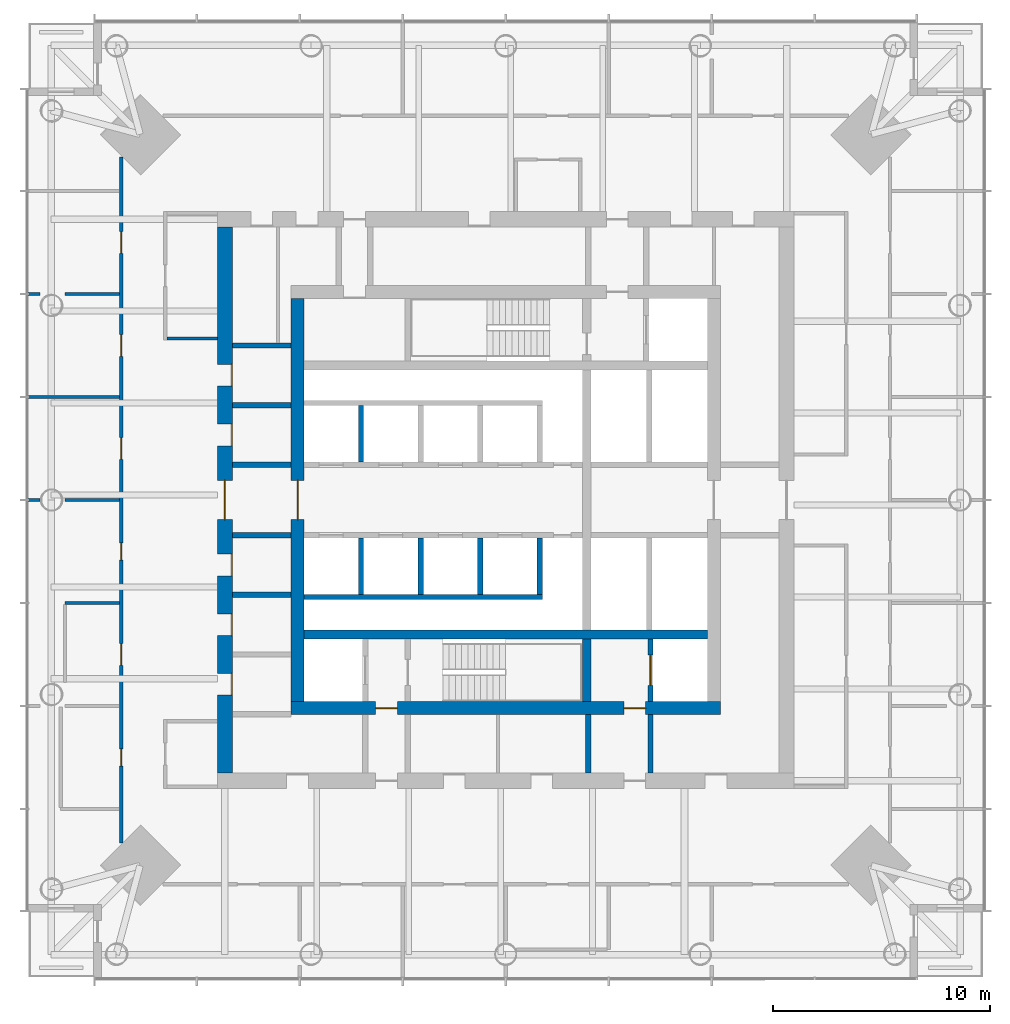
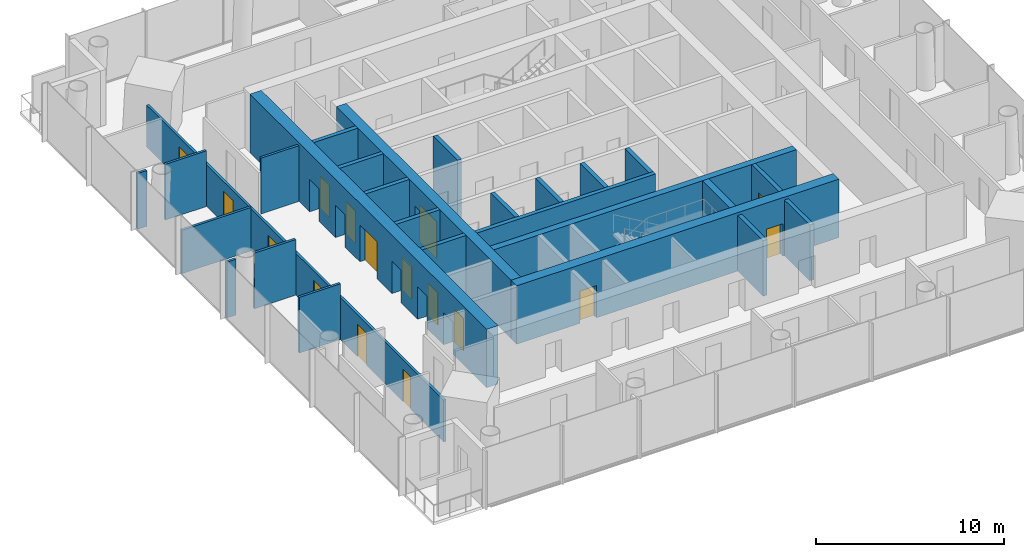
# One storey, part 9 of 19: 27 walls, 16 doors, 16 openings.
"""IFC4 building model written with IfcOpenShell, lengths in metres."""

from ifc_helpers import new_model, si_unit, direction, frame, frame_2d, origin, place, context, subcontext, project, spatial, rectangle, extrude, material, layer, layer_set, type_object, element, fill, save


model = new_model("IFC4")

# Units and contexts
model_context = context("Model", 3, precision=1e-05, world=origin(), true_north=direction((0.0, 1.0)))
body_context = subcontext(model_context, "Body", "Model", "MODEL_VIEW")
ifc_project = project(units=[si_unit("LENGTHUNIT", "METRE"), si_unit("AREAUNIT", "SQUARE_METRE"), si_unit("VOLUMEUNIT", "CUBIC_METRE"), si_unit("PLANEANGLEUNIT", "RADIAN"), si_unit("MASSUNIT", "GRAM", prefix="KILO")], contexts=[model_context])

# Site, building, storey
site_placement = place(None, origin())
site = spatial("IfcSite", under=ifc_project, at=site_placement, CompositionType="ELEMENT")
building_placement = place(site_placement, origin())
building = spatial("IfcBuilding", under=site, at=building_placement, Name="Ostroluk Exchange", CompositionType="ELEMENT")
storey_placement = place(building_placement, frame((0.0, 0.0, 116.0)))
storey = spatial("IfcBuildingStorey", under=building, at=storey_placement, Name="L29", CompositionType="ELEMENT", Elevation=116.0)

# Walls
ifc_material_1 = material(Name="Concrete blockwork", Category="masonry")
ifc_layer_1 = layer(ifc_material_1, 0.25)
ifc_layer_set_1 = layer_set([ifc_layer_1], Name="Blockwork stair enclosure wall 250")
wall_type_1 = type_object("IfcWallType", Name="Blockwork stair enclosure wall 250", PredefinedType="SOLIDWALL", material=ifc_layer_set_1)
for number, where, z_axis, x_axis, name in (
    (1, (48.804931640625, 33.39990234375, 0.0), (0.0, 0.0, 1.0), (0.0, 1.0, 0.0), "Service lobby enclosure wall"),
    (2, (51.675048828125, 33.39990234375, 0.0), (0.0, 0.0, 1.0), (0.0, 1.0, 0.0), "Service lobby enclosure wall"),
):
    element("IfcWall", number, at=place(storey_placement, frame(where, z_axis=z_axis, x_axis=x_axis)), inside=storey, type_object=wall_type_1, Name=name, PredefinedType="SOLIDWALL", context=body_context, shape_type="SweptSolid", body=[
        extrude(rectangle(XDim=2.7001953125, YDim=0.25, at=frame_2d((1.35009765625, 0.0))), origin(), (0.0, 0.0, 1.0), 3.6201171875),
    ])
ifc_material_2 = material(Name="Concrete C50/60", Category="concrete")
ifc_layer_2 = layer(ifc_material_2, 0.39990234375)
ifc_layer_set_2 = layer_set([ifc_layer_2], Name="Core cross wall 400 C50/60")
wall_type_2 = type_object("IfcWallType", Name="Core cross wall 400 C50/60", PredefinedType="SHEAR", material=ifc_layer_set_2)
wall_1_placement = place(storey_placement, frame((35.699951171875, 39.800048828125, 0.0), z_axis=(0.0, 0.0, 1.0), x_axis=(1.0, 0.0, 0.0)))
element("IfcWall", 3, at=wall_1_placement, inside=storey, type_object=wall_type_2, Name="T1 core wall XS", PredefinedType="SHEAR", context=body_context, shape_type="SweptSolid", body=[
    extrude(rectangle(XDim=18.60009765625, YDim=0.39990234375, at=frame_2d((9.300048828125, 0.0))), origin(), (0.0, 0.0, 1.0), 3.800048828125),
])
wall_2_placement = place(storey_placement, frame((48.72998046875, 36.699951171875, 0.0), z_axis=(0.0, 0.0, 1.0), x_axis=(0.0, 1.0, 0.0)))
element("IfcWall", 4, at=wall_2_placement, inside=storey, type_object=wall_type_2, Name="T1 core wall YE1", PredefinedType="SHEAR", context=body_context, shape_type="SweptSolid", body=[
    extrude(rectangle(XDim=2.900146484375, YDim=0.39990234375, at=frame_2d((1.4501953125, 0.0))), origin(), (0.0, 0.0, 1.0), 3.800048828125),
])

# Wall, opening, door
ifc_material_3 = material(Name="Concrete C40/50", Category="concrete")
ifc_layer_3 = layer(ifc_material_3, 0.25)
ifc_layer_set_3 = layer_set([ifc_layer_3], Name="Core shaft wall 250")
wall_type_3 = type_object("IfcWallType", Name="Core shaft wall 250", PredefinedType="SHEAR", material=ifc_layer_set_3)
wall_3_placement = place(storey_placement, frame((51.675048828125, 36.699951171875, 0.0), z_axis=(0.0, 0.0, 1.0), x_axis=(0.0, 1.0, 0.0)))
wall_3 = element("IfcWall", 5, at=wall_3_placement, inside=storey, type_object=wall_type_3, Name="Service lift shaft wall", PredefinedType="SHEAR", context=body_context, shape_type="SweptSolid", body=[
    extrude(rectangle(XDim=2.900146484375, YDim=0.25, at=frame_2d((1.4501953125, 0.0))), origin(), (0.0, 0.0, 1.0), 3.800048828125),
])
opening_1_placement = place(wall_3_placement, frame((0.75, 0.0, 0.0)))
opening_1 = element("IfcOpeningElement", 6, at=opening_1_placement, cuts=wall_3, Name="Opening LD3", PredefinedType="OPENING", context=body_context, shape_type="SweptSolid", body=[
    extrude(rectangle(XDim=1.39990234375, YDim=2.39990234375, at=frame_2d((0.699951171875, 1.199951171875))), frame((0.0, 0.135009765625, 0.0), z_axis=(0.0, -1.0, 0.0), x_axis=(1.0, 0.0, 0.0)), (0.0, 0.0, 1.0), 0.27001953125),
])
ifc_material_4 = material(Name="Stainless steel", Category="steel")
door_type_1 = type_object("IfcDoorType", Name="Goods lift landing door E 60 1400 x 2400", OperationType="DOUBLE_DOOR_SLIDING", PredefinedType="DOOR", material=ifc_material_4)
door_1_placement = place(opening_1_placement, origin())
door_1 = element("IfcDoor", 7, at=door_1_placement, inside=storey, type_object=door_type_1, Name="Lift SL1 landing door", OperationType="DOUBLE_DOOR_SLIDING", OverallHeight=2.39990234375, OverallWidth=1.39990234375, PredefinedType="DOOR", context=body_context, shape_type="SweptSolid", body=[
    extrude(rectangle(XDim=1.39990234375, YDim=2.39990234375, at=frame_2d((0.699951171875, 1.199951171875))), frame((0.0, 0.02490234375, 0.0), z_axis=(0.0, -1.0, 0.0), x_axis=(1.0, 0.0, 0.0)), (0.0, 0.0, 1.0), 0.050048828125),
])
fill(opening_1, door_1)

# Walls
for number, where, z_axis, x_axis, name in (
    (8, (38.324951171875, 47.75, 0.0), (0.0, 0.0, 1.0), (0.0, 1.0, 0.0), "Lift shaft wall"),
    (9, (38.324951171875, 44.25, 0.0), (0.0, 0.0, 1.0), (0.0, -1.0, 0.0), "Lift shaft wall"),
    (10, (41.074951171875, 44.25, 0.0), (0.0, 0.0, 1.0), (0.0, -1.0, 0.0), "Lift shaft wall"),
    (11, (43.824951171875, 44.25, 0.0), (0.0, 0.0, 1.0), (0.0, -1.0, 0.0), "Lift shaft wall"),
    (12, (46.574951171875, 44.25, 0.0), (0.0, 0.0, 1.0), (0.0, -1.0, 0.0), "Lift shaft wall"),
):
    element("IfcWall", number, at=place(storey_placement, frame(where, z_axis=z_axis, x_axis=x_axis)), inside=storey, type_object=wall_type_3, Name=name, PredefinedType="SHEAR", context=body_context, shape_type="SweptSolid", body=[
        extrude(rectangle(XDim=2.60009765625, YDim=0.25, at=frame_2d((1.300048828125, 0.0))), origin(), (0.0, 0.0, 1.0), 3.800048828125),
    ])
wall_4_placement = place(storey_placement, frame((35.699951171875, 41.52490234375, 0.0), z_axis=(0.0, 0.0, 1.0), x_axis=(1.0, 0.0, 0.0)))
element("IfcWall", 13, at=wall_4_placement, inside=storey, type_object=wall_type_3, Name="Lift shaft wall", PredefinedType="SHEAR", context=body_context, shape_type="SweptSolid", body=[
    extrude(rectangle(XDim=11.0, YDim=0.25, at=frame_2d((5.5, 0.0))), origin(), (0.0, 0.0, 1.0), 3.800048828125),
])
for number, where, z_axis, x_axis, name in (
    (14, (32.39990234375, 41.625, 0.0), (0.0, 0.0, 1.0), (1.0, 0.0, 0.0), "Lift shaft wall"),
    (15, (32.39990234375, 44.375, 0.0), (0.0, 0.0, 1.0), (1.0, 0.0, 0.0), "Lift shaft wall"),
    (16, (32.39990234375, 47.625, 0.0), (0.0, 0.0, 1.0), (1.0, 0.0, 0.0), "Lift shaft wall"),
    (17, (32.39990234375, 50.375, 0.0), (0.0, 0.0, 1.0), (1.0, 0.0, 0.0), "Lift shaft wall"),
    (18, (32.39990234375, 53.125, 0.0), (0.0, 0.0, 1.0), (1.0, 0.0, 0.0), "Lift shaft wall"),
):
    element("IfcWall", number, at=place(storey_placement, frame(where, z_axis=z_axis, x_axis=x_axis)), inside=storey, type_object=wall_type_3, Name=name, PredefinedType="SHEAR", context=body_context, shape_type="SweptSolid", body=[
        extrude(rectangle(XDim=2.7001953125, YDim=0.25, at=frame_2d((1.35009765625, 0.0))), origin(), (0.0, 0.0, 1.0), 3.800048828125),
    ])

# Wall, openings, doors
ifc_material_5 = material(Name="Concrete C50/60", Category="concrete")
ifc_layer_4 = layer(ifc_material_5, 0.60009765625)
ifc_layer_set_4 = layer_set([ifc_layer_4], Name="Core wall 600 C50/60")
wall_type_4 = type_object("IfcWallType", Name="Core wall 600 C50/60", PredefinedType="SHEAR", material=ifc_layer_set_4)
wall_5_placement = place(storey_placement, frame((35.10009765625, 36.39990234375, 0.0), z_axis=(0.0, 0.0, 1.0), x_axis=(1.0, 0.0, 0.0)))
wall_5 = element("IfcWall", 19, at=wall_5_placement, inside=storey, type_object=wall_type_4, Name="T1 core wall S", PredefinedType="SHEAR", context=body_context, shape_type="SweptSolid", body=[
    extrude(rectangle(XDim=19.7998046875, YDim=0.60009765625, at=frame_2d((9.89990234375, 0.0))), origin(), (0.0, 0.0, 1.0), 3.800048828125),
])
opening_2_placement = place(wall_5_placement, frame((3.89990234375, 0.0, 0.0)))
opening_2 = element("IfcOpeningElement", 20, at=opening_2_placement, cuts=wall_5, Name="Opening FD60", PredefinedType="OPENING", context=body_context, shape_type="SweptSolid", body=[
    extrude(rectangle(XDim=1.0, YDim=2.10009765625, at=frame_2d((0.5, 1.050048828125))), frame((0.0, 0.31005859375, 0.0), z_axis=(0.0, -1.0, 0.0), x_axis=(1.0, 0.0, 0.0)), (0.0, 0.0, 1.0), 0.6201171875),
])
opening_3_placement = place(wall_5_placement, frame((15.35009765625, 0.0, 0.0)))
opening_3 = element("IfcOpeningElement", 21, at=opening_3_placement, cuts=wall_5, Name="Opening FD60", PredefinedType="OPENING", context=body_context, shape_type="SweptSolid", body=[
    extrude(rectangle(XDim=1.0, YDim=2.10009765625, at=frame_2d((0.5, 1.050048828125))), frame((0.0, 0.31005859375, 0.0), z_axis=(0.0, -1.0, 0.0), x_axis=(1.0, 0.0, 0.0)), (0.0, 0.0, 1.0), 0.6201171875),
])
ifc_material_6 = material(Name="Steel", Category="steel")
door_type_2 = type_object("IfcDoorType", Name="Fire door EI 60 1000 x 2100", OperationType="SINGLE_SWING_LEFT", PredefinedType="DOOR", material=ifc_material_6)
door_2_placement = place(opening_2_placement, origin())
door_2 = element("IfcDoor", 22, at=door_2_placement, inside=storey, type_object=door_type_2, Name="Firefighting lobby door", OperationType="SINGLE_SWING_LEFT", OverallHeight=2.10009765625, OverallWidth=1.0, PredefinedType="DOOR", context=body_context, shape_type="SweptSolid", body=[
    extrude(rectangle(XDim=1.0, YDim=2.10009765625, at=frame_2d((0.5, 1.050048828125))), frame((0.0, 0.02490234375, 0.0), z_axis=(0.0, -1.0, 0.0), x_axis=(1.0, 0.0, 0.0)), (0.0, 0.0, 1.0), 0.050048828125),
])
fill(opening_2, door_2)
door_3_placement = place(opening_3_placement, origin())
door_3 = element("IfcDoor", 23, at=door_3_placement, inside=storey, type_object=door_type_2, Name="Service lobby door", OperationType="SINGLE_SWING_RIGHT", OverallHeight=2.10009765625, OverallWidth=1.0, PredefinedType="DOOR", context=body_context, shape_type="SweptSolid", body=[
    extrude(rectangle(XDim=1.0, YDim=2.10009765625, at=frame_2d((0.5, 1.050048828125))), frame((0.0, 0.02490234375, 0.0), z_axis=(0.0, -1.0, 0.0), x_axis=(1.0, 0.0, 0.0)), (0.0, 0.0, 1.0), 0.050048828125),
])
fill(opening_3, door_3)

# Wall, opening, door
wall_6_placement = place(storey_placement, frame((35.39990234375, 36.699951171875, 0.0), z_axis=(0.0, 0.0, 1.0), x_axis=(0.0, 1.0, 0.0)))
wall_6 = element("IfcWall", 24, at=wall_6_placement, inside=storey, type_object=wall_type_4, Name="T1 core wall W", PredefinedType="SHEAR", context=body_context, shape_type="SweptSolid", body=[
    extrude(rectangle(XDim=18.60009765625, YDim=0.60009765625, at=frame_2d((9.300048828125, 0.0))), origin(), (0.0, 0.0, 1.0), 3.800048828125),
])
opening_4_placement = place(wall_6_placement, frame((8.39990234375, 0.0, 0.0)))
opening_4 = element("IfcOpeningElement", 25, at=opening_4_placement, cuts=wall_6, Name="Opening FD30D", PredefinedType="OPENING", context=body_context, shape_type="SweptSolid", body=[
    extrude(rectangle(XDim=1.800048828125, YDim=2.39990234375, at=frame_2d((0.89990234375, 1.199951171875))), frame((0.0, 0.31005859375, 0.0), z_axis=(0.0, -1.0, 0.0), x_axis=(1.0, 0.0, 0.0)), (0.0, 0.0, 1.0), 0.6201171875),
])
ifc_material_7 = material(Name="Timber", Category="wood")
door_type_3 = type_object("IfcDoorType", Name="Lobby double door EI 30 1800 x 2400", OperationType="DOUBLE_DOOR_SINGLE_SWING", PredefinedType="DOOR", material=ifc_material_7)
door_4_placement = place(opening_4_placement, origin())
door_4 = element("IfcDoor", 26, at=door_4_placement, inside=storey, type_object=door_type_3, Name="Lift lobby doors", OperationType="DOUBLE_DOOR_SINGLE_SWING", OverallHeight=2.39990234375, OverallWidth=1.800048828125, PredefinedType="DOOR", context=body_context, shape_type="SweptSolid", body=[
    extrude(rectangle(XDim=1.800048828125, YDim=2.39990234375, at=frame_2d((0.89990234375, 1.199951171875))), frame((0.0, 0.02490234375, 0.0), z_axis=(0.0, -1.0, 0.0), x_axis=(1.0, 0.0, 0.0)), (0.0, 0.0, 1.0), 0.050048828125),
])
fill(opening_4, door_4)

# Wall, openings, doors
ifc_material_8 = material(Name="Concrete C50/60", Category="concrete")
ifc_layer_5 = layer(ifc_material_8, 0.699951171875)
ifc_layer_set_5 = layer_set([ifc_layer_5], Name="Core wall 700 C50/60")
wall_type_5 = type_object("IfcWallType", Name="Core wall 700 C50/60", PredefinedType="SHEAR", material=ifc_layer_set_5)
wall_7_placement = place(storey_placement, frame((32.050048828125, 33.39990234375, 0.0), z_axis=(0.0, 0.0, 1.0), x_axis=(0.0, 1.0, 0.0)))
wall_7 = element("IfcWall", 27, at=wall_7_placement, inside=storey, type_object=wall_type_5, Name="T1 core wall RW", PredefinedType="SHEAR", context=body_context, shape_type="SweptSolid", body=[
    extrude(rectangle(XDim=25.2001953125, YDim=0.699951171875, at=frame_2d((12.60009765625, 0.0))), origin(), (0.0, 0.0, 1.0), 3.800048828125),
])
opening_5_placement = place(wall_7_placement, frame((11.699951171875, 0.0, 0.0)))
opening_5 = element("IfcOpeningElement", 28, at=opening_5_placement, cuts=wall_7, Name="Opening FD30D", PredefinedType="OPENING", context=body_context, shape_type="SweptSolid", body=[
    extrude(rectangle(XDim=1.800048828125, YDim=2.39990234375, at=frame_2d((0.89990234375, 1.199951171875))), frame((0.0, 0.35986328125, 0.0), z_axis=(0.0, -1.0, 0.0), x_axis=(1.0, 0.0, 0.0)), (0.0, 0.0, 1.0), 0.719970703125),
])
opening_6_placement = place(wall_7_placement, frame((3.60009765625, 0.0, 0.0)))
opening_6 = element("IfcOpeningElement", 29, at=opening_6_placement, cuts=wall_7, Name="Opening FD60", PredefinedType="OPENING", context=body_context, shape_type="SweptSolid", body=[
    extrude(rectangle(XDim=1.0, YDim=2.10009765625, at=frame_2d((0.5, 1.050048828125))), frame((0.0, 0.35986328125, 0.0), z_axis=(0.0, -1.0, 0.0), x_axis=(1.0, 0.0, 0.0)), (0.0, 0.0, 1.0), 0.719970703125),
])
opening_7_placement = place(wall_7_placement, frame((6.35009765625, 0.0, 0.0)))
opening_7 = element("IfcOpeningElement", 30, at=opening_7_placement, cuts=wall_7, Name="Opening FD60", PredefinedType="OPENING", context=body_context, shape_type="SweptSolid", body=[
    extrude(rectangle(XDim=1.0, YDim=2.10009765625, at=frame_2d((0.5, 1.050048828125))), frame((0.0, 0.35986328125, 0.0), z_axis=(0.0, -1.0, 0.0), x_axis=(1.0, 0.0, 0.0)), (0.0, 0.0, 1.0), 0.719970703125),
])
opening_8_placement = place(wall_7_placement, frame((9.10009765625, 0.0, 0.0)))
opening_8 = element("IfcOpeningElement", 31, at=opening_8_placement, cuts=wall_7, Name="Opening FD60", PredefinedType="OPENING", context=body_context, shape_type="SweptSolid", body=[
    extrude(rectangle(XDim=1.0, YDim=2.10009765625, at=frame_2d((0.5, 1.050048828125))), frame((0.0, 0.35986328125, 0.0), z_axis=(0.0, -1.0, 0.0), x_axis=(1.0, 0.0, 0.0)), (0.0, 0.0, 1.0), 0.719970703125),
])
opening_9_placement = place(wall_7_placement, frame((15.10009765625, 0.0, 0.0)))
opening_9 = element("IfcOpeningElement", 32, at=opening_9_placement, cuts=wall_7, Name="Opening FD60", PredefinedType="OPENING", context=body_context, shape_type="SweptSolid", body=[
    extrude(rectangle(XDim=1.0, YDim=2.10009765625, at=frame_2d((0.5, 1.050048828125))), frame((0.0, 0.35986328125, 0.0), z_axis=(0.0, -1.0, 0.0), x_axis=(1.0, 0.0, 0.0)), (0.0, 0.0, 1.0), 0.719970703125),
])
opening_10_placement = place(wall_7_placement, frame((17.85009765625, 0.0, 0.0)))
opening_10 = element("IfcOpeningElement", 33, at=opening_10_placement, cuts=wall_7, Name="Opening FD60", PredefinedType="OPENING", context=body_context, shape_type="SweptSolid", body=[
    extrude(rectangle(XDim=1.0, YDim=2.10009765625, at=frame_2d((0.5, 1.050048828125))), frame((0.0, 0.35986328125, 0.0), z_axis=(0.0, -1.0, 0.0), x_axis=(1.0, 0.0, 0.0)), (0.0, 0.0, 1.0), 0.719970703125),
])
door_5_placement = place(opening_6_placement, origin())
door_5 = element("IfcDoor", 34, at=door_5_placement, inside=storey, type_object=door_type_2, Name="Comms room door", OperationType="SINGLE_SWING_LEFT", OverallHeight=2.10009765625, OverallWidth=1.0, PredefinedType="DOOR", context=body_context, shape_type="SweptSolid", body=[
    extrude(rectangle(XDim=1.0, YDim=2.10009765625, at=frame_2d((0.5, 1.050048828125))), frame((0.0, -0.2900390625, 0.0), z_axis=(0.0, -1.0, 0.0), x_axis=(1.0, 0.0, 0.0)), (0.0, 0.0, 1.0), 0.050048828125),
])
fill(opening_6, door_5)
door_6_placement = place(opening_7_placement, origin())
door_6 = element("IfcDoor", 35, at=door_6_placement, inside=storey, type_object=door_type_2, Name="Tenant IT room door", OperationType="SINGLE_SWING_LEFT", OverallHeight=2.10009765625, OverallWidth=1.0, PredefinedType="DOOR", context=body_context, shape_type="SweptSolid", body=[
    extrude(rectangle(XDim=1.0, YDim=2.10009765625, at=frame_2d((0.5, 1.050048828125))), frame((0.0, -0.2900390625, 0.0), z_axis=(0.0, -1.0, 0.0), x_axis=(1.0, 0.0, 0.0)), (0.0, 0.0, 1.0), 0.050048828125),
])
fill(opening_7, door_6)
door_7_placement = place(opening_8_placement, origin())
door_7 = element("IfcDoor", 36, at=door_7_placement, inside=storey, type_object=door_type_2, Name="Comms room door", OperationType="SINGLE_SWING_LEFT", OverallHeight=2.10009765625, OverallWidth=1.0, PredefinedType="DOOR", context=body_context, shape_type="SweptSolid", body=[
    extrude(rectangle(XDim=1.0, YDim=2.10009765625, at=frame_2d((0.5, 1.050048828125))), frame((0.0, -0.2900390625, 0.0), z_axis=(0.0, -1.0, 0.0), x_axis=(1.0, 0.0, 0.0)), (0.0, 0.0, 1.0), 0.050048828125),
])
fill(opening_8, door_7)
door_8_placement = place(opening_9_placement, origin())
door_8 = element("IfcDoor", 37, at=door_8_placement, inside=storey, type_object=door_type_2, Name="Tenant IT room door", OperationType="SINGLE_SWING_RIGHT", OverallHeight=2.10009765625, OverallWidth=1.0, PredefinedType="DOOR", context=body_context, shape_type="SweptSolid", body=[
    extrude(rectangle(XDim=1.0, YDim=2.10009765625, at=frame_2d((0.5, 1.050048828125))), frame((0.0, -0.2900390625, 0.0), z_axis=(0.0, -1.0, 0.0), x_axis=(1.0, 0.0, 0.0)), (0.0, 0.0, 1.0), 0.050048828125),
])
fill(opening_9, door_8)
door_9_placement = place(opening_10_placement, origin())
door_9 = element("IfcDoor", 38, at=door_9_placement, inside=storey, type_object=door_type_2, Name="Comms room door", OperationType="SINGLE_SWING_RIGHT", OverallHeight=2.10009765625, OverallWidth=1.0, PredefinedType="DOOR", context=body_context, shape_type="SweptSolid", body=[
    extrude(rectangle(XDim=1.0, YDim=2.10009765625, at=frame_2d((0.5, 1.050048828125))), frame((0.0, -0.2900390625, 0.0), z_axis=(0.0, -1.0, 0.0), x_axis=(1.0, 0.0, 0.0)), (0.0, 0.0, 1.0), 0.050048828125),
])
fill(opening_10, door_9)
door_10_placement = place(opening_5_placement, origin())
door_10 = element("IfcDoor", 39, at=door_10_placement, inside=storey, type_object=door_type_3, Name="Lift lobby doors", OperationType="DOUBLE_DOOR_SINGLE_SWING", OverallHeight=2.39990234375, OverallWidth=1.800048828125, PredefinedType="DOOR", context=body_context, shape_type="SweptSolid", body=[
    extrude(rectangle(XDim=1.800048828125, YDim=2.39990234375, at=frame_2d((0.89990234375, 1.199951171875))), frame((0.0, 0.02490234375, 0.0), z_axis=(0.0, -1.0, 0.0), x_axis=(1.0, 0.0, 0.0)), (0.0, 0.0, 1.0), 0.050048828125),
])
fill(opening_5, door_10)

# Wall
ifc_material_9 = material(Name="Gypsum plasterboard partition", Category="gypsum")
ifc_layer_6 = layer(ifc_material_9, 0.14990234375)
ifc_layer_set_6 = layer_set([ifc_layer_6], Name="Plasterboard partition 150")
wall_type_6 = type_object("IfcWallType", Name="Plasterboard partition 150", PredefinedType="PARTITIONING", material=ifc_layer_set_6)
wall_8_placement = place(storey_placement, frame((31.699951171875, 53.449951171875, 0.0), z_axis=(0.0, 0.0, 1.0), x_axis=(-1.0, 0.0, 0.0)))
element("IfcWall", 40, at=wall_8_placement, inside=storey, type_object=wall_type_6, Name="Partition", PredefinedType="PARTITIONING", context=body_context, shape_type="SweptSolid", body=[
    extrude(rectangle(XDim=2.324951171875, YDim=0.14990234375, at=frame_2d((1.16259765625, 0.0))), origin(), (0.0, 0.0, 1.0), 3.6201171875),
])

# Wall, openings, doors
wall_9_placement = place(storey_placement, frame((27.27490234375, 61.8115234375, 0.0), z_axis=(0.0, 0.0, 1.0), x_axis=(0.0, -1.0, 0.0)))
wall_9 = element("IfcWall", 41, at=wall_9_placement, inside=storey, type_object=wall_type_6, Name="Partition", PredefinedType="PARTITIONING", context=body_context, shape_type="SweptSolid", body=[
    extrude(rectangle(XDim=31.623046875, YDim=0.14990234375, at=frame_2d((15.8115234375, 0.0))), origin(), (0.0, 0.0, 1.0), 2.719970703125),
])
opening_11_placement = place(wall_9_placement, frame((3.4365234375, 0.0, 0.0)))
opening_11 = element("IfcOpeningElement", 42, at=opening_11_placement, cuts=wall_9, Name="Opening D-03", PredefinedType="OPENING", context=body_context, shape_type="SweptSolid", body=[
    extrude(rectangle(XDim=1.0, YDim=2.10009765625, at=frame_2d((0.5, 1.050048828125))), frame((0.0, 0.0849609375, 0.0), z_axis=(0.0, -1.0, 0.0), x_axis=(1.0, 0.0, 0.0)), (0.0, 0.0, 1.0), 0.169921875),
])
opening_12_placement = place(wall_9_placement, frame((8.1865234375, 0.0, 0.0)))
opening_12 = element("IfcOpeningElement", 43, at=opening_12_placement, cuts=wall_9, Name="Opening D-03", PredefinedType="OPENING", context=body_context, shape_type="SweptSolid", body=[
    extrude(rectangle(XDim=1.0, YDim=2.10009765625, at=frame_2d((0.5, 1.050048828125))), frame((0.0, 0.0849609375, 0.0), z_axis=(0.0, -1.0, 0.0), x_axis=(1.0, 0.0, 0.0)), (0.0, 0.0, 1.0), 0.169921875),
])
opening_13_placement = place(wall_9_placement, frame((12.9365234375, 0.0, 0.0)))
opening_13 = element("IfcOpeningElement", 44, at=opening_13_placement, cuts=wall_9, Name="Opening D-03", PredefinedType="OPENING", context=body_context, shape_type="SweptSolid", body=[
    extrude(rectangle(XDim=1.0, YDim=2.10009765625, at=frame_2d((0.5, 1.050048828125))), frame((0.0, 0.0849609375, 0.0), z_axis=(0.0, -1.0, 0.0), x_axis=(1.0, 0.0, 0.0)), (0.0, 0.0, 1.0), 0.169921875),
])
opening_14_placement = place(wall_9_placement, frame((17.78662109375, 0.0, 0.0)))
opening_14 = element("IfcOpeningElement", 45, at=opening_14_placement, cuts=wall_9, Name="Opening D-06", PredefinedType="OPENING", context=body_context, shape_type="SweptSolid", body=[
    extrude(rectangle(XDim=0.800048828125, YDim=2.10009765625, at=frame_2d((0.39990234375, 1.050048828125))), frame((0.0, 0.0849609375, 0.0), z_axis=(0.0, -1.0, 0.0), x_axis=(1.0, 0.0, 0.0)), (0.0, 0.0, 1.0), 0.169921875),
])
opening_15_placement = place(wall_9_placement, frame((22.4365234375, 0.0, 0.0)))
opening_15 = element("IfcOpeningElement", 46, at=opening_15_placement, cuts=wall_9, Name="Opening D-03", PredefinedType="OPENING", context=body_context, shape_type="SweptSolid", body=[
    extrude(rectangle(XDim=1.0, YDim=2.10009765625, at=frame_2d((0.5, 1.050048828125))), frame((0.0, 0.0849609375, 0.0), z_axis=(0.0, -1.0, 0.0), x_axis=(1.0, 0.0, 0.0)), (0.0, 0.0, 1.0), 0.169921875),
])
opening_16_placement = place(wall_9_placement, frame((27.28662109375, 0.0, 0.0)))
opening_16 = element("IfcOpeningElement", 47, at=opening_16_placement, cuts=wall_9, Name="Opening D-06", PredefinedType="OPENING", context=body_context, shape_type="SweptSolid", body=[
    extrude(rectangle(XDim=0.800048828125, YDim=2.10009765625, at=frame_2d((0.39990234375, 1.050048828125))), frame((0.0, 0.0849609375, 0.0), z_axis=(0.0, -1.0, 0.0), x_axis=(1.0, 0.0, 0.0)), (0.0, 0.0, 1.0), 0.169921875),
])
ifc_material_10 = material(Name="Timber", Category="wood")
door_type_4 = type_object("IfcDoorType", Name="Internal door 1000 x 2100", OperationType="SINGLE_SWING_LEFT", PredefinedType="DOOR", material=ifc_material_10)
door_11_placement = place(opening_11_placement, origin())
door_11 = element("IfcDoor", 48, at=door_11_placement, inside=storey, type_object=door_type_4, Name="Office door", OperationType="SINGLE_SWING_LEFT", OverallHeight=2.10009765625, OverallWidth=1.0, PredefinedType="DOOR", context=body_context, shape_type="SweptSolid", body=[
    extrude(rectangle(XDim=1.0, YDim=2.10009765625, at=frame_2d((0.5, 1.050048828125))), frame((0.0, 0.02490234375, 0.0), z_axis=(0.0, -1.0, 0.0), x_axis=(1.0, 0.0, 0.0)), (0.0, 0.0, 1.0), 0.050048828125),
])
fill(opening_11, door_11)
door_12_placement = place(opening_12_placement, origin())
door_12 = element("IfcDoor", 49, at=door_12_placement, inside=storey, type_object=door_type_4, Name="Meeting room door", OperationType="SINGLE_SWING_LEFT", OverallHeight=2.10009765625, OverallWidth=1.0, PredefinedType="DOOR", context=body_context, shape_type="SweptSolid", body=[
    extrude(rectangle(XDim=1.0, YDim=2.10009765625, at=frame_2d((0.5, 1.050048828125))), frame((0.0, 0.02490234375, 0.0), z_axis=(0.0, -1.0, 0.0), x_axis=(1.0, 0.0, 0.0)), (0.0, 0.0, 1.0), 0.050048828125),
])
fill(opening_12, door_12)
door_13_placement = place(opening_13_placement, origin())
door_13 = element("IfcDoor", 50, at=door_13_placement, inside=storey, type_object=door_type_4, Name="Pantry door", OperationType="SINGLE_SWING_LEFT", OverallHeight=2.10009765625, OverallWidth=1.0, PredefinedType="DOOR", context=body_context, shape_type="SweptSolid", body=[
    extrude(rectangle(XDim=1.0, YDim=2.10009765625, at=frame_2d((0.5, 1.050048828125))), frame((0.0, 0.02490234375, 0.0), z_axis=(0.0, -1.0, 0.0), x_axis=(1.0, 0.0, 0.0)), (0.0, 0.0, 1.0), 0.050048828125),
])
fill(opening_13, door_13)
door_14_placement = place(opening_15_placement, origin())
door_14 = element("IfcDoor", 51, at=door_14_placement, inside=storey, type_object=door_type_4, Name="Accessible WC door", OperationType="SINGLE_SWING_RIGHT", OverallHeight=2.10009765625, OverallWidth=1.0, PredefinedType="DOOR", context=body_context, shape_type="SweptSolid", body=[
    extrude(rectangle(XDim=1.0, YDim=2.10009765625, at=frame_2d((0.5, 1.050048828125))), frame((0.0, 0.02490234375, 0.0), z_axis=(0.0, -1.0, 0.0), x_axis=(1.0, 0.0, 0.0)), (0.0, 0.0, 1.0), 0.050048828125),
])
fill(opening_15, door_14)
ifc_material_11 = material(Name="Timber", Category="wood")
door_type_5 = type_object("IfcDoorType", Name="Toilet door 800 x 2100", OperationType="SINGLE_SWING_LEFT", PredefinedType="DOOR", material=ifc_material_11)
door_15_placement = place(opening_14_placement, origin())
door_15 = element("IfcDoor", 52, at=door_15_placement, inside=storey, type_object=door_type_5, Name="WC female door", OperationType="SINGLE_SWING_RIGHT", OverallHeight=2.10009765625, OverallWidth=0.800048828125, PredefinedType="DOOR", context=body_context, shape_type="SweptSolid", body=[
    extrude(rectangle(XDim=0.800048828125, YDim=2.10009765625, at=frame_2d((0.39990234375, 1.050048828125))), frame((0.0, 0.02490234375, 0.0), z_axis=(0.0, -1.0, 0.0), x_axis=(1.0, 0.0, 0.0)), (0.0, 0.0, 1.0), 0.050048828125),
])
fill(opening_14, door_15)
door_16_placement = place(opening_16_placement, origin())
door_16 = element("IfcDoor", 53, at=door_16_placement, inside=storey, type_object=door_type_5, Name="WC male door", OperationType="SINGLE_SWING_RIGHT", OverallHeight=2.10009765625, OverallWidth=0.800048828125, PredefinedType="DOOR", context=body_context, shape_type="SweptSolid", body=[
    extrude(rectangle(XDim=0.800048828125, YDim=2.10009765625, at=frame_2d((0.39990234375, 1.050048828125))), frame((0.0, 0.02490234375, 0.0), z_axis=(0.0, -1.0, 0.0), x_axis=(1.0, 0.0, 0.0)), (0.0, 0.0, 1.0), 0.050048828125),
])
fill(opening_16, door_16)

# Walls
wall_10_placement = place(storey_placement, frame((27.199951171875, 55.5, 0.0), z_axis=(0.0, 0.0, 1.0), x_axis=(-1.0, 0.0, 0.0)))
element("IfcWall", 54, at=wall_10_placement, inside=storey, type_object=wall_type_6, Name="Partition", PredefinedType="PARTITIONING", context=body_context, shape_type="SweptSolid", body=[
    extrude(rectangle(XDim=2.534912109375, YDim=0.14990234375, at=frame_2d((1.267578125, 0.0))), origin(), (0.0, 0.0, 1.0), 3.6201171875),
])
wall_11_placement = place(storey_placement, frame((23.52783203125, 55.5, 0.0), z_axis=(0.0, 0.0, 1.0), x_axis=(-1.0, 0.0, 0.0)))
element("IfcWall", 55, at=wall_11_placement, inside=storey, type_object=wall_type_6, Name="Partition", PredefinedType="PARTITIONING", context=body_context, shape_type="SweptSolid", body=[
    extrude(rectangle(XDim=0.56787109375, YDim=0.14990234375, at=frame_2d((0.283935546875, 0.0))), origin(), (0.0, 0.0, 1.0), 3.6201171875),
])
wall_12_placement = place(storey_placement, frame((27.199951171875, 50.75, 0.0), z_axis=(0.0, 0.0, 1.0), x_axis=(-1.0, 0.0, 0.0)))
element("IfcWall", 56, at=wall_12_placement, inside=storey, type_object=wall_type_6, Name="Partition", PredefinedType="PARTITIONING", context=body_context, shape_type="SweptSolid", body=[
    extrude(rectangle(XDim=4.239990234375, YDim=0.14990234375, at=frame_2d((2.1201171875, 0.0))), origin(), (0.0, 0.0, 1.0), 2.820068359375),
])
wall_13_placement = place(storey_placement, frame((27.199951171875, 46.0, 0.0), z_axis=(0.0, 0.0, 1.0), x_axis=(-1.0, 0.0, 0.0)))
element("IfcWall", 57, at=wall_13_placement, inside=storey, type_object=wall_type_6, Name="Partition", PredefinedType="PARTITIONING", context=body_context, shape_type="SweptSolid", body=[
    extrude(rectangle(XDim=2.534912109375, YDim=0.14990234375, at=frame_2d((1.267578125, 0.0))), origin(), (0.0, 0.0, 1.0), 3.6201171875),
])
wall_14_placement = place(storey_placement, frame((23.52783203125, 46.0, 0.0), z_axis=(0.0, 0.0, 1.0), x_axis=(-1.0, 0.0, 0.0)))
element("IfcWall", 58, at=wall_14_placement, inside=storey, type_object=wall_type_6, Name="Partition", PredefinedType="PARTITIONING", context=body_context, shape_type="SweptSolid", body=[
    extrude(rectangle(XDim=0.56787109375, YDim=0.14990234375, at=frame_2d((0.283935546875, 0.0))), origin(), (0.0, 0.0, 1.0), 3.6201171875),
])
wall_15_placement = place(storey_placement, frame((27.199951171875, 41.25, 0.0), z_axis=(0.0, 0.0, 1.0), x_axis=(-1.0, 0.0, 0.0)))
element("IfcWall", 59, at=wall_15_placement, inside=storey, type_object=wall_type_6, Name="Partition", PredefinedType="PARTITIONING", context=body_context, shape_type="SweptSolid", body=[
    extrude(rectangle(XDim=2.52490234375, YDim=0.14990234375, at=frame_2d((1.262451171875, 0.0))), origin(), (0.0, 0.0, 1.0), 3.6201171875),
])

save(model, "model.ifc")
